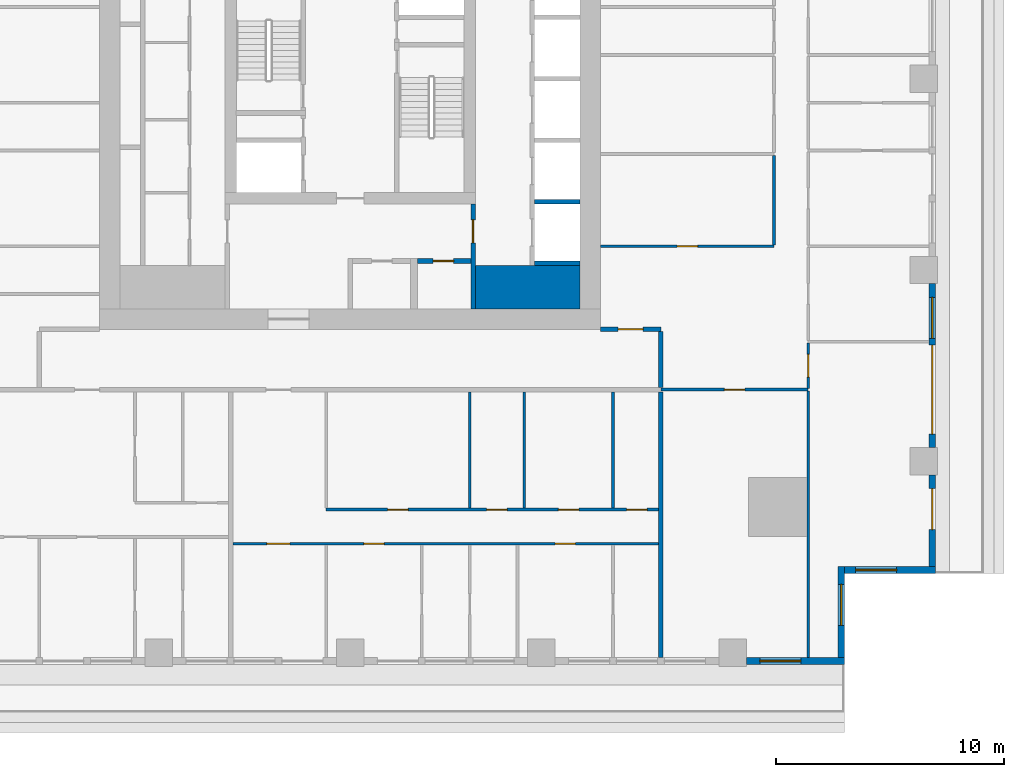
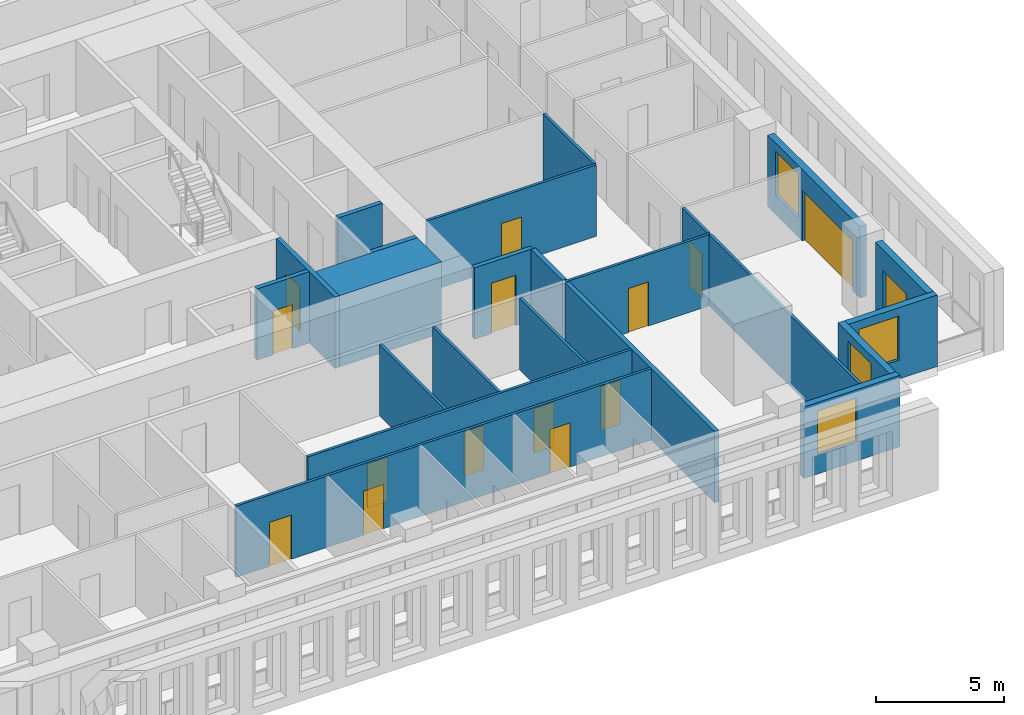
# One storey, part 5 of 16: 23 walls, 15 doors, 4 windows, 19 openings.
"""IFC4 building model written with IfcOpenShell, lengths in metres."""

from ifc_helpers import new_model, si_unit, direction, frame, frame_2d, origin, place, context, subcontext, project, spatial, rectangle, extrude, material, layer, layer_set, type_object, element, fill, save


model = new_model("IFC4")

# Units and contexts
model_context = context("Model", 3, precision=1e-05, world=origin(), true_north=direction((0.0, 1.0)))
body_context = subcontext(model_context, "Body", "Model", "MODEL_VIEW")
ifc_project = project(units=[si_unit("LENGTHUNIT", "METRE"), si_unit("AREAUNIT", "SQUARE_METRE"), si_unit("VOLUMEUNIT", "CUBIC_METRE"), si_unit("PLANEANGLEUNIT", "RADIAN"), si_unit("MASSUNIT", "GRAM", prefix="KILO")], contexts=[model_context])

# Site, building, storey
site_placement = place(None, origin())
site = spatial("IfcSite", under=ifc_project, at=site_placement, CompositionType="ELEMENT")
building_placement = place(site_placement, origin())
building = spatial("IfcBuilding", under=site, at=building_placement, Name="Khepri Terraces", CompositionType="ELEMENT")
storey_placement = place(building_placement, frame((0.0, 0.0, 176.699951171875)))
storey = spatial("IfcBuildingStorey", under=building, at=storey_placement, Name="L42", CompositionType="ELEMENT", Elevation=176.699951171875)

# Walls
ifc_material_1 = material(Name="Concrete C60/75", Category="concrete")
ifc_layer_1 = layer(ifc_material_1, 1.89990234375, Name="Concrete C60/75", Category="concrete")
ifc_layer_set_1 = layer_set([ifc_layer_1], Name="Concrete C60/75")
wall_type_1 = type_object("IfcWallType", Name="Core wall 1900 C60/75", PredefinedType="SHEAR", material=ifc_layer_set_1)
wall_1_placement = place(storey_placement, frame((5.5, -9.14990234375, 0.0), z_axis=(0.0, 0.0, 1.0), x_axis=(1.0, 0.0, 0.0)))
element("IfcWall", 1, at=wall_1_placement, inside=storey, type_object=wall_type_1, Name="Core wall PR02 L42", PredefinedType="SHEAR", context=body_context, shape_type="SweptSolid", body=[
    extrude(rectangle(XDim=4.60009765625, YDim=1.89990234375, at=frame_2d((2.300048828125, 0.0))), origin(), (0.0, 0.0, 1.0), 3.400146484375),
])
ifc_layer_2 = layer(ifc_material_1, 0.199951171875, Name="Concrete C60/75", Category="concrete")
ifc_layer_set_2 = layer_set([ifc_layer_2], Name="Concrete C60/75")
wall_type_2 = type_object("IfcWallType", Name="Core wall 200 C60/75", PredefinedType="SHEAR", material=ifc_layer_set_2)
for number, where, z_axis, x_axis, name in (
    (2, (8.10009765625, -8.10009765625, 0.0), (0.0, 0.0, 1.0), (1.0, 0.0, 0.0), "Core wall SH03 L42"),
    (3, (8.10009765625, -5.39990234375, 0.0), (0.0, 0.0, 1.0), (1.0, 0.0, 0.0), "Core wall SH04 L42"),
):
    element("IfcWall", number, at=place(storey_placement, frame(where, z_axis=z_axis, x_axis=x_axis)), inside=storey, type_object=wall_type_2, Name=name, PredefinedType="SHEAR", context=body_context, shape_type="SweptSolid", body=[
        extrude(rectangle(XDim=2.0, YDim=0.199951171875, at=frame_2d((1.0, 0.0))), origin(), (0.0, 0.0, 1.0), 3.400146484375),
    ])

# Wall, opening, door
ifc_material_2 = material(Name="Fire-rated gypsum board partition")
ifc_layer_3 = layer(ifc_material_2, 0.199951171875, Name="Fire-rated gypsum board partition")
ifc_layer_set_3 = layer_set([ifc_layer_3], Name="Fire-rated gypsum board partition")
wall_type_3 = type_object("IfcWallType", Name="WL-CORE-PART-200", PredefinedType="PARTITIONING", material=ifc_layer_set_3)
wall_2_placement = place(storey_placement, frame((5.39990234375, -10.10009765625, 0.0), z_axis=(0.0, 0.0, 1.0), x_axis=(0.0, 1.0, 0.0)))
wall_2 = element("IfcWall", 4, at=wall_2_placement, inside=storey, type_object=wall_type_3, Name="Core partition PT04 L42", PredefinedType="PARTITIONING", context=body_context, shape_type="SweptSolid", body=[
    extrude(rectangle(XDim=4.60009765625, YDim=0.199951171875, at=frame_2d((2.300048828125, 0.0))), origin(), (0.0, 0.0, 1.0), 3.400146484375),
])
opening_1_placement = place(wall_2_placement, frame((2.89990234375, 0.0, 0.0)))
opening_1 = element("IfcOpeningElement", 5, at=opening_1_placement, cuts=wall_2, Name="Opening L42-C19", PredefinedType="OPENING", context=body_context, shape_type="SweptSolid", body=[
    extrude(rectangle(XDim=1.0, YDim=2.10009765625, at=frame_2d((0.5, 1.050048828125))), frame((0.0, 0.10986328125, 0.0), z_axis=(0.0, -1.0, 0.0), x_axis=(1.0, 0.0, 0.0)), (0.0, 0.0, 1.0), 0.219970703125),
])
ifc_material_3 = material(Name="Painted steel", Category="steel")
door_type_1 = type_object("IfcDoorType", Name="DR-CORE-LOBBY-1000", OperationType="NOTDEFINED", PredefinedType="DOOR", material=ifc_material_3)
door_1_placement = place(opening_1_placement, origin())
door_1 = element("IfcDoor", 6, at=door_1_placement, inside=storey, type_object=door_type_1, Name="Lobby door L42-C19", OperationType="SINGLE_SWING_RIGHT", OverallHeight=2.10009765625, OverallWidth=1.0, PredefinedType="DOOR", context=body_context, shape_type="SweptSolid", body=[
    extrude(rectangle(XDim=1.0, YDim=2.10009765625, at=frame_2d((0.5, 1.050048828125))), frame((0.0, 0.02490234375, 0.0), z_axis=(0.0, -1.0, 0.0), x_axis=(1.0, 0.0, 0.0)), (0.0, 0.0, 1.0), 0.050048828125),
])
fill(opening_1, door_1)

wall_3_placement = place(storey_placement, frame((2.949951171875, -8.0, 0.0), z_axis=(0.0, 0.0, 1.0), x_axis=(1.0, 0.0, 0.0)))
wall_3 = element("IfcWall", 7, at=wall_3_placement, inside=storey, type_object=wall_type_3, Name="Core partition PT07 L42", PredefinedType="PARTITIONING", context=body_context, shape_type="SweptSolid", body=[
    extrude(rectangle(XDim=2.35009765625, YDim=0.199951171875, at=frame_2d((1.175048828125, 0.0))), origin(), (0.0, 0.0, 1.0), 3.400146484375),
])
opening_2_placement = place(wall_3_placement, frame((0.699951171875, 0.0, 0.0)))
opening_2 = element("IfcOpeningElement", 8, at=opening_2_placement, cuts=wall_3, Name="Opening L42-C23", PredefinedType="OPENING", context=body_context, shape_type="SweptSolid", body=[
    extrude(rectangle(XDim=0.89990234375, YDim=2.10009765625, at=frame_2d((0.449951171875, 1.050048828125))), frame((0.0, 0.10986328125, 0.0), z_axis=(0.0, -1.0, 0.0), x_axis=(1.0, 0.0, 0.0)), (0.0, 0.0, 1.0), 0.219970703125),
])
door_type_2 = type_object("IfcDoorType", Name="DR-CORE-SERVICE-900", OperationType="NOTDEFINED", PredefinedType="DOOR", material=ifc_material_3)
door_2_placement = place(opening_2_placement, frame((0.89990234375, 0.0, 0.0), z_axis=(0.0, 0.0, 1.0), x_axis=(-1.0, 0.0, 0.0)))
door_2 = element("IfcDoor", 9, at=door_2_placement, inside=storey, type_object=door_type_2, Name="Service room door L42-C23", OperationType="SINGLE_SWING_RIGHT", OverallHeight=2.10009765625, OverallWidth=0.89990234375, PredefinedType="DOOR", context=body_context, shape_type="SweptSolid", body=[
    extrude(rectangle(XDim=0.89990234375, YDim=2.10009765625, at=frame_2d((0.449951171875, 1.050048828125))), frame((0.0, 0.02490234375, 0.0), z_axis=(0.0, -1.0, 0.0), x_axis=(1.0, 0.0, 0.0)), (0.0, 0.0, 1.0), 0.050048828125),
])
fill(opening_2, door_2)

# Walls
ifc_material_4 = material(Name="Fire-rated gypsum plasterboard partition, mineral wool")
ifc_layer_4 = layer(ifc_material_4, 0.199951171875, Name="Fire-rated gypsum plasterboard partition, mineral wool")
ifc_layer_set_4 = layer_set([ifc_layer_4], Name="Fire-rated gypsum plasterboard partition, mineral wool")
wall_type_4 = type_object("IfcWallType", Name="WL-CORR-200", PredefinedType="PARTITIONING", material=ifc_layer_set_4)
wall_4_placement = place(storey_placement, frame((13.64990234375, -25.419921875, 0.0), z_axis=(0.0, 0.0, 1.0), x_axis=(0.0, 1.0, 0.0)))
element("IfcWall", 10, at=wall_4_placement, inside=storey, type_object=wall_type_4, Name="Partition P-010 L42", PredefinedType="PARTITIONING", context=body_context, shape_type="SweptSolid", body=[
    extrude(rectangle(XDim=11.669921875, YDim=0.199951171875, at=frame_2d((5.8349609375, 0.0))), origin(), (0.0, 0.0, 1.0), 3.400146484375),
])
wall_5_placement = place(storey_placement, frame((13.64990234375, -13.550048828125, 0.0), z_axis=(0.0, 0.0, 1.0), x_axis=(0.0, 1.0, 0.0)))
element("IfcWall", 11, at=wall_5_placement, inside=storey, type_object=wall_type_4, Name="Partition P-029 L42", PredefinedType="PARTITIONING", context=body_context, shape_type="SweptSolid", body=[
    extrude(rectangle(XDim=2.449951171875, YDim=0.199951171875, at=frame_2d((1.22509765625, 0.0))), origin(), (0.0, 0.0, 1.0), 3.400146484375),
])

# Wall, opening, door
wall_6_placement = place(storey_placement, frame((11.0, -11.0, 0.0), z_axis=(0.0, 0.0, 1.0), x_axis=(1.0, 0.0, 0.0)))
wall_6 = element("IfcWall", 12, at=wall_6_placement, inside=storey, type_object=wall_type_4, Name="Partition P-035 L42", PredefinedType="PARTITIONING", context=body_context, shape_type="SweptSolid", body=[
    extrude(rectangle(XDim=2.64990234375, YDim=0.199951171875, at=frame_2d((1.324951171875, 0.0))), origin(), (0.0, 0.0, 1.0), 3.400146484375),
])
opening_3_placement = place(wall_6_placement, frame((0.77490234375, 0.0, 0.0)))
opening_3 = element("IfcOpeningElement", 13, at=opening_3_placement, cuts=wall_6, Name="Opening D1", PredefinedType="OPENING", context=body_context, shape_type="SweptSolid", body=[
    extrude(rectangle(XDim=1.10009765625, YDim=2.39990234375, at=frame_2d((0.550048828125, 1.199951171875))), frame((0.0, 0.10986328125, 0.0), z_axis=(0.0, -1.0, 0.0), x_axis=(1.0, 0.0, 0.0)), (0.0, 0.0, 1.0), 0.219970703125),
])
ifc_material_5 = material(Name="Solid-core timber door leaf, flat entrance door", Category="wood")
door_type_3 = type_object("IfcDoorType", Name="DR-ENT-1100", OperationType="NOTDEFINED", PredefinedType="DOOR", material=ifc_material_5)
door_3_placement = place(opening_3_placement, origin())
door_3 = element("IfcDoor", 14, at=door_3_placement, inside=storey, type_object=door_type_3, Name="Flat B1 entrance door", OperationType="SINGLE_SWING_LEFT", OverallHeight=2.39990234375, OverallWidth=1.10009765625, PredefinedType="DOOR", context=body_context, shape_type="SweptSolid", body=[
    extrude(rectangle(XDim=1.10009765625, YDim=2.39990234375, at=frame_2d((0.550048828125, 1.199951171875))), frame((0.0, 0.02490234375, 0.0), z_axis=(0.0, -1.0, 0.0), x_axis=(1.0, 0.0, 0.0)), (0.0, 0.0, 1.0), 0.050048828125),
])
fill(opening_3, door_3)

# Wall, opening, window
ifc_material_6 = material(Name="Precast concrete C50/60 warm stone", Category="masonry")
ifc_layer_5 = layer(ifc_material_6, 0.300048828125, Name="Precast concrete C50/60 warm stone", Category="masonry")
ifc_layer_set_5 = layer_set([ifc_layer_5], Name="Precast concrete C50/60 warm stone")
wall_type_5 = type_object("IfcWallType", Name="WL-EXT-PRECAST-300", PredefinedType="STANDARD", material=ifc_layer_set_5)
wall_7_placement = place(storey_placement, frame((21.719970703125, -21.570068359375, 0.0), z_axis=(0.0, 0.0, 1.0), x_axis=(1.0, 0.0, 0.0)))
wall_7 = element("IfcWall", 15, at=wall_7_placement, inside=storey, type_object=wall_type_5, Name="External wall L42 S", PredefinedType="STANDARD", context=body_context, shape_type="SweptSolid", body=[
    extrude(rectangle(XDim=4.0, YDim=0.300048828125, at=frame_2d((2.0, 0.0))), origin(), (0.0, 0.0, 1.0), 3.400146484375),
])
opening_4_placement = place(wall_7_placement, frame((0.47998046875, 0.0, 0.89990234375)))
opening_4 = element("IfcOpeningElement", 16, at=opening_4_placement, cuts=wall_7, Name="Opening W1", PredefinedType="OPENING", context=body_context, shape_type="SweptSolid", body=[
    extrude(rectangle(XDim=1.800048828125, YDim=2.10009765625, at=frame_2d((0.89990234375, 1.050048828125))), frame((0.0, 0.16015625, 0.0), z_axis=(0.0, -1.0, 0.0), x_axis=(1.0, 0.0, 0.0)), (0.0, 0.0, 1.0), 0.320068359375),
])
ifc_material_7 = material(Name="Clear glass", Category="glass")
window_type = type_object("IfcWindowType", Name="WIN-RES-1800x2100", PartitioningType="SINGLE_PANEL", PredefinedType="WINDOW", material=ifc_material_7)
window_1_placement = place(opening_4_placement, origin())
window_1 = element("IfcWindow", 17, at=window_1_placement, inside=storey, type_object=window_type, Name="Window L42 S", OverallHeight=2.10009765625, OverallWidth=1.800048828125, PartitioningType="SINGLE_PANEL", PredefinedType="WINDOW", context=body_context, shape_type="SweptSolid", body=[
    extrude(rectangle(XDim=1.800048828125, YDim=2.10009765625, at=frame_2d((0.89990234375, 1.050048828125))), frame((0.0, 0.030029296875, 0.0), z_axis=(0.0, -1.0, 0.0), x_axis=(1.0, 0.0, 0.0)), (0.0, 0.0, 1.0), 0.06005859375),
])
fill(opening_4, window_1)

# Wall, opening, door
wall_8_placement = place(storey_placement, frame((25.570068359375, -21.419921875, 0.0), z_axis=(0.0, 0.0, 1.0), x_axis=(0.0, 1.0, 0.0)))
wall_8 = element("IfcWall", 18, at=wall_8_placement, inside=storey, type_object=wall_type_5, Name="External wall L42 E", PredefinedType="STANDARD", context=body_context, shape_type="SweptSolid", body=[
    extrude(rectangle(XDim=4.02001953125, YDim=0.300048828125, at=frame_2d((2.010009765625, 0.0))), origin(), (0.0, 0.0, 1.0), 3.400146484375),
])
opening_5_placement = place(wall_8_placement, frame((1.6201171875, 0.0, 0.0)))
opening_5 = element("IfcOpeningElement", 19, at=opening_5_placement, cuts=wall_8, Name="Opening ED-L42-01", PredefinedType="OPENING", context=body_context, shape_type="SweptSolid", body=[
    extrude(rectangle(XDim=1.800048828125, YDim=2.39990234375, at=frame_2d((0.89990234375, 1.199951171875))), frame((0.0, 0.16015625, 0.0), z_axis=(0.0, -1.0, 0.0), x_axis=(1.0, 0.0, 0.0)), (0.0, 0.0, 1.0), 0.320068359375),
])
ifc_material_8 = material(Name="Anodised aluminium bronze glazed door", Category="aluminium")
door_type_4 = type_object("IfcDoorType", Name="DR-BAL-SLIDE-1800x2400", OperationType="NOTDEFINED", PredefinedType="DOOR", material=ifc_material_8)
door_4_placement = place(opening_5_placement, origin())
door_4 = element("IfcDoor", 20, at=door_4_placement, inside=storey, type_object=door_type_4, Name="Balcony door L42 E", OperationType="SLIDING_TO_RIGHT", OverallHeight=2.39990234375, OverallWidth=1.800048828125, PredefinedType="DOOR", context=body_context, shape_type="SweptSolid", body=[
    extrude(rectangle(XDim=1.800048828125, YDim=2.39990234375, at=frame_2d((0.89990234375, 1.199951171875))), frame((0.0, 0.02490234375, 0.0), z_axis=(0.0, -1.0, 0.0), x_axis=(1.0, 0.0, 0.0)), (0.0, 0.0, 1.0), 0.050048828125),
])
fill(opening_5, door_4)

# Wall, openings, door, window
wall_9_placement = place(storey_placement, frame((25.570068359375, -16.199951171875, 0.0), z_axis=(0.0, 0.0, 1.0), x_axis=(0.0, 1.0, 0.0)))
wall_9 = element("IfcWall", 21, at=wall_9_placement, inside=storey, type_object=wall_type_5, Name="External wall L42 E", PredefinedType="STANDARD", context=body_context, shape_type="SweptSolid", body=[
    extrude(rectangle(XDim=7.199951171875, YDim=0.300048828125, at=frame_2d((3.60009765625, 0.0))), origin(), (0.0, 0.0, 1.0), 3.400146484375),
])
opening_6_placement = place(wall_9_placement, frame((0.60009765625, 0.0, 0.0)))
opening_6 = element("IfcOpeningElement", 22, at=opening_6_placement, cuts=wall_9, Name="Opening ED-L42-02", PredefinedType="OPENING", context=body_context, shape_type="SweptSolid", body=[
    extrude(rectangle(XDim=3.89990234375, YDim=2.39990234375, at=frame_2d((1.949951171875, 1.199951171875))), frame((0.0, 0.16015625, 0.0), z_axis=(0.0, -1.0, 0.0), x_axis=(1.0, 0.0, 0.0)), (0.0, 0.0, 1.0), 0.320068359375),
])
opening_7_placement = place(wall_9_placement, frame((4.800048828125, 0.0, 0.89990234375)))
opening_7 = element("IfcOpeningElement", 23, at=opening_7_placement, cuts=wall_9, Name="Opening W1", PredefinedType="OPENING", context=body_context, shape_type="SweptSolid", body=[
    extrude(rectangle(XDim=1.800048828125, YDim=2.10009765625, at=frame_2d((0.89990234375, 1.050048828125))), frame((0.0, 0.16015625, 0.0), z_axis=(0.0, -1.0, 0.0), x_axis=(1.0, 0.0, 0.0)), (0.0, 0.0, 1.0), 0.320068359375),
])
door_type_5 = type_object("IfcDoorType", Name="DR-BAL-SLIDE-3900x2400", OperationType="NOTDEFINED", PredefinedType="DOOR", material=ifc_material_8)
door_5_placement = place(opening_6_placement, origin())
door_5 = element("IfcDoor", 24, at=door_5_placement, inside=storey, type_object=door_type_5, Name="Balcony door L42 E", OperationType="SLIDING_TO_LEFT", OverallHeight=2.39990234375, OverallWidth=3.89990234375, PredefinedType="DOOR", context=body_context, shape_type="SweptSolid", body=[
    extrude(rectangle(XDim=3.89990234375, YDim=2.39990234375, at=frame_2d((1.949951171875, 1.199951171875))), frame((0.0, 0.02490234375, 0.0), z_axis=(0.0, -1.0, 0.0), x_axis=(1.0, 0.0, 0.0)), (0.0, 0.0, 1.0), 0.050048828125),
])
fill(opening_6, door_5)
window_2_placement = place(opening_7_placement, origin())
window_2 = element("IfcWindow", 25, at=window_2_placement, inside=storey, type_object=window_type, Name="Window L42 E", OverallHeight=2.10009765625, OverallWidth=1.800048828125, PartitioningType="SINGLE_PANEL", PredefinedType="WINDOW", context=body_context, shape_type="SweptSolid", body=[
    extrude(rectangle(XDim=1.800048828125, YDim=2.10009765625, at=frame_2d((0.89990234375, 1.050048828125))), frame((0.0, 0.030029296875, 0.0), z_axis=(0.0, -1.0, 0.0), x_axis=(1.0, 0.0, 0.0)), (0.0, 0.0, 1.0), 0.06005859375),
])
fill(opening_7, window_2)

# Wall, opening, window
wall_10_placement = place(storey_placement, frame((17.39990234375, -25.570068359375, 0.0), z_axis=(0.0, 0.0, 1.0), x_axis=(1.0, 0.0, 0.0)))
wall_10 = element("IfcWall", 26, at=wall_10_placement, inside=storey, type_object=wall_type_5, Name="External wall L42 S", PredefinedType="STANDARD", context=body_context, shape_type="SweptSolid", body=[
    extrude(rectangle(XDim=4.320068359375, YDim=0.300048828125, at=frame_2d((2.16015625, 0.0))), origin(), (0.0, 0.0, 1.0), 3.400146484375),
])
opening_8_placement = place(wall_10_placement, frame((0.60009765625, 0.0, 0.89990234375)))
opening_8 = element("IfcOpeningElement", 27, at=opening_8_placement, cuts=wall_10, Name="Opening W1", PredefinedType="OPENING", context=body_context, shape_type="SweptSolid", body=[
    extrude(rectangle(XDim=1.800048828125, YDim=2.10009765625, at=frame_2d((0.89990234375, 1.050048828125))), frame((0.0, 0.16015625, 0.0), z_axis=(0.0, -1.0, 0.0), x_axis=(1.0, 0.0, 0.0)), (0.0, 0.0, 1.0), 0.320068359375),
])
window_3_placement = place(opening_8_placement, origin())
window_3 = element("IfcWindow", 28, at=window_3_placement, inside=storey, type_object=window_type, Name="Window L42 S", OverallHeight=2.10009765625, OverallWidth=1.800048828125, PartitioningType="SINGLE_PANEL", PredefinedType="WINDOW", context=body_context, shape_type="SweptSolid", body=[
    extrude(rectangle(XDim=1.800048828125, YDim=2.10009765625, at=frame_2d((0.89990234375, 1.050048828125))), frame((0.0, 0.030029296875, 0.0), z_axis=(0.0, -1.0, 0.0), x_axis=(1.0, 0.0, 0.0)), (0.0, 0.0, 1.0), 0.06005859375),
])
fill(opening_8, window_3)

wall_11_placement = place(storey_placement, frame((21.570068359375, -25.419921875, 0.0), z_axis=(0.0, 0.0, 1.0), x_axis=(0.0, 1.0, 0.0)))
wall_11 = element("IfcWall", 29, at=wall_11_placement, inside=storey, type_object=wall_type_5, Name="External wall L42 E", PredefinedType="STANDARD", context=body_context, shape_type="SweptSolid", body=[
    extrude(rectangle(XDim=4.0, YDim=0.300048828125, at=frame_2d((2.0, 0.0))), origin(), (0.0, 0.0, 1.0), 3.400146484375),
])
opening_9_placement = place(wall_11_placement, frame((1.419921875, 0.0, 0.89990234375)))
opening_9 = element("IfcOpeningElement", 30, at=opening_9_placement, cuts=wall_11, Name="Opening W1", PredefinedType="OPENING", context=body_context, shape_type="SweptSolid", body=[
    extrude(rectangle(XDim=1.800048828125, YDim=2.10009765625, at=frame_2d((0.89990234375, 1.050048828125))), frame((0.0, 0.16015625, 0.0), z_axis=(0.0, -1.0, 0.0), x_axis=(1.0, 0.0, 0.0)), (0.0, 0.0, 1.0), 0.320068359375),
])
window_4_placement = place(opening_9_placement, origin())
window_4 = element("IfcWindow", 31, at=window_4_placement, inside=storey, type_object=window_type, Name="Window L42 E", OverallHeight=2.10009765625, OverallWidth=1.800048828125, PartitioningType="SINGLE_PANEL", PredefinedType="WINDOW", context=body_context, shape_type="SweptSolid", body=[
    extrude(rectangle(XDim=1.800048828125, YDim=2.10009765625, at=frame_2d((0.89990234375, 1.050048828125))), frame((0.0, 0.030029296875, 0.0), z_axis=(0.0, -1.0, 0.0), x_axis=(1.0, 0.0, 0.0)), (0.0, 0.0, 1.0), 0.06005859375),
])
fill(opening_9, window_4)

# Wall
ifc_material_9 = material(Name="Gypsum plasterboard partition")
ifc_layer_6 = layer(ifc_material_9, 0.1201171875, Name="Gypsum plasterboard partition")
ifc_layer_set_6 = layer_set([ifc_layer_6], Name="Gypsum plasterboard partition")
wall_type_6 = type_object("IfcWallType", Name="WL-PART-120", PredefinedType="PARTITIONING", material=ifc_layer_set_6)
wall_12_placement = place(storey_placement, frame((20.1201171875, -25.419921875, 0.0), z_axis=(0.0, 0.0, 1.0), x_axis=(0.0, 1.0, 0.0)))
element("IfcWall", 32, at=wall_12_placement, inside=storey, type_object=wall_type_6, Name="Partition P-011 L42", PredefinedType="PARTITIONING", context=body_context, shape_type="SweptSolid", body=[
    extrude(rectangle(XDim=11.7099609375, YDim=0.1201171875, at=frame_2d((5.85498046875, 0.0))), origin(), (0.0, 0.0, 1.0), 3.400146484375),
])

# Wall, openings, doors
wall_13_placement = place(storey_placement, frame((-5.14990234375, -20.419921875, 0.0), z_axis=(0.0, 0.0, 1.0), x_axis=(1.0, 0.0, 0.0)))
wall_13 = element("IfcWall", 33, at=wall_13_placement, inside=storey, type_object=wall_type_6, Name="Partition P-012 L42", PredefinedType="PARTITIONING", context=body_context, shape_type="SweptSolid", body=[
    extrude(rectangle(XDim=18.699951171875, YDim=0.1201171875, at=frame_2d((9.35009765625, 0.0))), origin(), (0.0, 0.0, 1.0), 3.400146484375),
])
opening_10_placement = place(wall_13_placement, frame((1.5, 0.0, 0.0)))
opening_10 = element("IfcOpeningElement", 34, at=opening_10_placement, cuts=wall_13, Name="Opening D2", PredefinedType="OPENING", context=body_context, shape_type="SweptSolid", body=[
    extrude(rectangle(XDim=1.0, YDim=2.10009765625, at=frame_2d((0.5, 1.050048828125))), frame((0.0, 0.070068359375, 0.0), z_axis=(0.0, -1.0, 0.0), x_axis=(1.0, 0.0, 0.0)), (0.0, 0.0, 1.0), 0.14013671875),
])
opening_11_placement = place(wall_13_placement, frame((5.75, 0.0, 0.0)))
opening_11 = element("IfcOpeningElement", 35, at=opening_11_placement, cuts=wall_13, Name="Opening D3", PredefinedType="OPENING", context=body_context, shape_type="SweptSolid", body=[
    extrude(rectangle(XDim=0.89990234375, YDim=2.10009765625, at=frame_2d((0.449951171875, 1.050048828125))), frame((0.0, 0.070068359375, 0.0), z_axis=(0.0, -1.0, 0.0), x_axis=(1.0, 0.0, 0.0)), (0.0, 0.0, 1.0), 0.14013671875),
])
opening_12_placement = place(wall_13_placement, frame((14.14990234375, 0.0, 0.0)))
opening_12 = element("IfcOpeningElement", 36, at=opening_12_placement, cuts=wall_13, Name="Opening D3", PredefinedType="OPENING", context=body_context, shape_type="SweptSolid", body=[
    extrude(rectangle(XDim=0.89990234375, YDim=2.10009765625, at=frame_2d((0.449951171875, 1.050048828125))), frame((0.0, 0.070068359375, 0.0), z_axis=(0.0, -1.0, 0.0), x_axis=(1.0, 0.0, 0.0)), (0.0, 0.0, 1.0), 0.14013671875),
])
ifc_material_10 = material(Name="Timber door leaf, living room door", Category="wood")
door_type_6 = type_object("IfcDoorType", Name="DR-INT-1000", OperationType="NOTDEFINED", PredefinedType="DOOR", material=ifc_material_10)
door_6_placement = place(opening_10_placement, frame((1.0, 0.0, 0.0), z_axis=(0.0, 0.0, 1.0), x_axis=(-1.0, 0.0, 0.0)))
door_6 = element("IfcDoor", 37, at=door_6_placement, inside=storey, type_object=door_type_6, Name="Door Sun Lounge", OperationType="SINGLE_SWING_RIGHT", OverallHeight=2.10009765625, OverallWidth=1.0, PredefinedType="DOOR", context=body_context, shape_type="SweptSolid", body=[
    extrude(rectangle(XDim=1.0, YDim=2.10009765625, at=frame_2d((0.5, 1.050048828125))), frame((0.0, 0.02490234375, 0.0), z_axis=(0.0, -1.0, 0.0), x_axis=(1.0, 0.0, 0.0)), (0.0, 0.0, 1.0), 0.050048828125),
])
fill(opening_10, door_6)
ifc_material_11 = material(Name="Timber door leaf", Category="wood")
door_type_7 = type_object("IfcDoorType", Name="DR-INT-900", OperationType="NOTDEFINED", PredefinedType="DOOR", material=ifc_material_11)
door_7_placement = place(opening_11_placement, frame((0.89990234375, 0.0, 0.0), z_axis=(0.0, 0.0, 1.0), x_axis=(-1.0, 0.0, 0.0)))
door_7 = element("IfcDoor", 38, at=door_7_placement, inside=storey, type_object=door_type_7, Name="Door Master Bedroom", OperationType="SINGLE_SWING_RIGHT", OverallHeight=2.10009765625, OverallWidth=0.89990234375, PredefinedType="DOOR", context=body_context, shape_type="SweptSolid", body=[
    extrude(rectangle(XDim=0.89990234375, YDim=2.10009765625, at=frame_2d((0.449951171875, 1.050048828125))), frame((0.0, 0.02490234375, 0.0), z_axis=(0.0, -1.0, 0.0), x_axis=(1.0, 0.0, 0.0)), (0.0, 0.0, 1.0), 0.050048828125),
])
fill(opening_11, door_7)
door_8_placement = place(opening_12_placement, frame((0.89990234375, 0.0, 0.0), z_axis=(0.0, 0.0, 1.0), x_axis=(-1.0, 0.0, 0.0)))
door_8 = element("IfcDoor", 39, at=door_8_placement, inside=storey, type_object=door_type_7, Name="Door Bedroom", OperationType="SINGLE_SWING_LEFT", OverallHeight=2.10009765625, OverallWidth=0.89990234375, PredefinedType="DOOR", context=body_context, shape_type="SweptSolid", body=[
    extrude(rectangle(XDim=0.89990234375, YDim=2.10009765625, at=frame_2d((0.449951171875, 1.050048828125))), frame((0.0, 0.02490234375, 0.0), z_axis=(0.0, -1.0, 0.0), x_axis=(1.0, 0.0, 0.0)), (0.0, 0.0, 1.0), 0.050048828125),
])
fill(opening_12, door_8)

wall_14_placement = place(storey_placement, frame((-1.050048828125, -18.919921875, 0.0), z_axis=(0.0, 0.0, 1.0), x_axis=(1.0, 0.0, 0.0)))
wall_14 = element("IfcWall", 40, at=wall_14_placement, inside=storey, type_object=wall_type_6, Name="Partition P-015 L42", PredefinedType="PARTITIONING", context=body_context, shape_type="SweptSolid", body=[
    extrude(rectangle(XDim=14.60009765625, YDim=0.1201171875, at=frame_2d((7.300048828125, 0.0))), origin(), (0.0, 0.0, 1.0), 3.400146484375),
])
opening_13_placement = place(wall_14_placement, frame((2.699951171875, 0.0, 0.0)))
opening_13 = element("IfcOpeningElement", 41, at=opening_13_placement, cuts=wall_14, Name="Opening D3", PredefinedType="OPENING", context=body_context, shape_type="SweptSolid", body=[
    extrude(rectangle(XDim=0.89990234375, YDim=2.10009765625, at=frame_2d((0.449951171875, 1.050048828125))), frame((0.0, 0.070068359375, 0.0), z_axis=(0.0, -1.0, 0.0), x_axis=(1.0, 0.0, 0.0)), (0.0, 0.0, 1.0), 0.14013671875),
])
opening_14_placement = place(wall_14_placement, frame((7.050048828125, 0.0, 0.0)))
opening_14 = element("IfcOpeningElement", 42, at=opening_14_placement, cuts=wall_14, Name="Opening D4", PredefinedType="OPENING", context=body_context, shape_type="SweptSolid", body=[
    extrude(rectangle(XDim=0.89990234375, YDim=2.10009765625, at=frame_2d((0.449951171875, 1.050048828125))), frame((0.0, 0.070068359375, 0.0), z_axis=(0.0, -1.0, 0.0), x_axis=(1.0, 0.0, 0.0)), (0.0, 0.0, 1.0), 0.14013671875),
])
opening_15_placement = place(wall_14_placement, frame((10.199951171875, 0.0, 0.0)))
opening_15 = element("IfcOpeningElement", 43, at=opening_15_placement, cuts=wall_14, Name="Opening D4", PredefinedType="OPENING", context=body_context, shape_type="SweptSolid", body=[
    extrude(rectangle(XDim=0.89990234375, YDim=2.10009765625, at=frame_2d((0.449951171875, 1.050048828125))), frame((0.0, 0.070068359375, 0.0), z_axis=(0.0, -1.0, 0.0), x_axis=(1.0, 0.0, 0.0)), (0.0, 0.0, 1.0), 0.14013671875),
])
opening_16_placement = place(wall_14_placement, frame((13.199951171875, 0.0, 0.0)))
opening_16 = element("IfcOpeningElement", 44, at=opening_16_placement, cuts=wall_14, Name="Opening D3", PredefinedType="OPENING", context=body_context, shape_type="SweptSolid", body=[
    extrude(rectangle(XDim=0.89990234375, YDim=2.10009765625, at=frame_2d((0.449951171875, 1.050048828125))), frame((0.0, 0.070068359375, 0.0), z_axis=(0.0, -1.0, 0.0), x_axis=(1.0, 0.0, 0.0)), (0.0, 0.0, 1.0), 0.14013671875),
])
door_9_placement = place(opening_13_placement, origin())
door_9 = element("IfcDoor", 45, at=door_9_placement, inside=storey, type_object=door_type_7, Name="Door Kitchen", OperationType="SINGLE_SWING_LEFT", OverallHeight=2.10009765625, OverallWidth=0.89990234375, PredefinedType="DOOR", context=body_context, shape_type="SweptSolid", body=[
    extrude(rectangle(XDim=0.89990234375, YDim=2.10009765625, at=frame_2d((0.449951171875, 1.050048828125))), frame((0.0, 0.02490234375, 0.0), z_axis=(0.0, -1.0, 0.0), x_axis=(1.0, 0.0, 0.0)), (0.0, 0.0, 1.0), 0.050048828125),
])
fill(opening_13, door_9)
door_10_placement = place(opening_16_placement, origin())
door_10 = element("IfcDoor", 46, at=door_10_placement, inside=storey, type_object=door_type_7, Name="Door Utility Room", OperationType="SINGLE_SWING_RIGHT", OverallHeight=2.10009765625, OverallWidth=0.89990234375, PredefinedType="DOOR", context=body_context, shape_type="SweptSolid", body=[
    extrude(rectangle(XDim=0.89990234375, YDim=2.10009765625, at=frame_2d((0.449951171875, 1.050048828125))), frame((0.0, 0.02490234375, 0.0), z_axis=(0.0, -1.0, 0.0), x_axis=(1.0, 0.0, 0.0)), (0.0, 0.0, 1.0), 0.050048828125),
])
fill(opening_16, door_10)
ifc_material_12 = material(Name="Timber door leaf, moisture resistant", Category="wood")
door_type_8 = type_object("IfcDoorType", Name="DR-WET-900", OperationType="NOTDEFINED", PredefinedType="DOOR", material=ifc_material_12)
door_11_placement = place(opening_14_placement, origin())
door_11 = element("IfcDoor", 47, at=door_11_placement, inside=storey, type_object=door_type_8, Name="Door Powder Room", OperationType="SINGLE_SWING_RIGHT", OverallHeight=2.10009765625, OverallWidth=0.89990234375, PredefinedType="DOOR", context=body_context, shape_type="SweptSolid", body=[
    extrude(rectangle(XDim=0.89990234375, YDim=2.10009765625, at=frame_2d((0.449951171875, 1.050048828125))), frame((0.0, 0.02490234375, 0.0), z_axis=(0.0, -1.0, 0.0), x_axis=(1.0, 0.0, 0.0)), (0.0, 0.0, 1.0), 0.050048828125),
])
fill(opening_14, door_11)
door_12_placement = place(opening_15_placement, origin())
door_12 = element("IfcDoor", 48, at=door_12_placement, inside=storey, type_object=door_type_8, Name="Door Guest Bathroom", OperationType="SINGLE_SWING_RIGHT", OverallHeight=2.10009765625, OverallWidth=0.89990234375, PredefinedType="DOOR", context=body_context, shape_type="SweptSolid", body=[
    extrude(rectangle(XDim=0.89990234375, YDim=2.10009765625, at=frame_2d((0.449951171875, 1.050048828125))), frame((0.0, 0.02490234375, 0.0), z_axis=(0.0, -1.0, 0.0), x_axis=(1.0, 0.0, 0.0)), (0.0, 0.0, 1.0), 0.050048828125),
])
fill(opening_15, door_12)

# Walls
for number, where, z_axis, x_axis, name in (
    (49, (5.25, -18.860107421875, 0.0), (0.0, 0.0, 1.0), (0.0, 1.0, 0.0), "Partition P-017 L42"),
    (50, (7.64990234375, -18.860107421875, 0.0), (0.0, 0.0, 1.0), (0.0, 1.0, 0.0), "Partition P-018 L42"),
    (51, (11.550048828125, -18.860107421875, 0.0), (0.0, 0.0, 1.0), (0.0, 1.0, 0.0), "Partition P-019 L42"),
):
    element("IfcWall", number, at=place(storey_placement, frame(where, z_axis=z_axis, x_axis=x_axis)), inside=storey, type_object=wall_type_6, Name=name, PredefinedType="PARTITIONING", context=body_context, shape_type="SweptSolid", body=[
        extrude(rectangle(XDim=5.110107421875, YDim=0.1201171875, at=frame_2d((2.55517578125, 0.0))), origin(), (0.0, 0.0, 1.0), 3.400146484375),
    ])

# Wall, opening, door
wall_15_placement = place(storey_placement, frame((13.64990234375, -13.64990234375, 0.0), z_axis=(0.0, 0.0, 1.0), x_axis=(1.0, 0.0, 0.0)))
wall_15 = element("IfcWall", 52, at=wall_15_placement, inside=storey, type_object=wall_type_6, Name="Partition P-024 L42", PredefinedType="PARTITIONING", context=body_context, shape_type="SweptSolid", body=[
    extrude(rectangle(XDim=6.47021484375, YDim=0.1201171875, at=frame_2d((3.235107421875, 0.0))), origin(), (0.0, 0.0, 1.0), 3.400146484375),
])
opening_17_placement = place(wall_15_placement, frame((2.784912109375, 0.0, 0.0)))
opening_17 = element("IfcOpeningElement", 53, at=opening_17_placement, cuts=wall_15, Name="Opening D3", PredefinedType="OPENING", context=body_context, shape_type="SweptSolid", body=[
    extrude(rectangle(XDim=0.89990234375, YDim=2.10009765625, at=frame_2d((0.449951171875, 1.050048828125))), frame((0.0, 0.070068359375, 0.0), z_axis=(0.0, -1.0, 0.0), x_axis=(1.0, 0.0, 0.0)), (0.0, 0.0, 1.0), 0.14013671875),
])
door_13_placement = place(opening_17_placement, frame((0.89990234375, 0.0, 0.0), z_axis=(0.0, 0.0, 1.0), x_axis=(-1.0, 0.0, 0.0)))
door_13 = element("IfcDoor", 54, at=door_13_placement, inside=storey, type_object=door_type_7, Name="Door Library", OperationType="SINGLE_SWING_LEFT", OverallHeight=2.10009765625, OverallWidth=0.89990234375, PredefinedType="DOOR", context=body_context, shape_type="SweptSolid", body=[
    extrude(rectangle(XDim=0.89990234375, YDim=2.10009765625, at=frame_2d((0.449951171875, 1.050048828125))), frame((0.0, 0.02490234375, 0.0), z_axis=(0.0, -1.0, 0.0), x_axis=(1.0, 0.0, 0.0)), (0.0, 0.0, 1.0), 0.050048828125),
])
fill(opening_17, door_13)

wall_16_placement = place(storey_placement, frame((20.1201171875, -13.590087890625, 0.0), z_axis=(0.0, 0.0, 1.0), x_axis=(0.0, 1.0, 0.0)))
wall_16 = element("IfcWall", 55, at=wall_16_placement, inside=storey, type_object=wall_type_6, Name="Partition P-025 L42", PredefinedType="PARTITIONING", context=body_context, shape_type="SweptSolid", body=[
    extrude(rectangle(XDim=1.97998046875, YDim=0.1201171875, at=frame_2d((0.989990234375, 0.0))), origin(), (0.0, 0.0, 1.0), 3.400146484375),
])
opening_18_placement = place(wall_16_placement, frame((0.489990234375, 0.0, 0.0)))
opening_18 = element("IfcOpeningElement", 56, at=opening_18_placement, cuts=wall_16, Name="Opening D2", PredefinedType="OPENING", context=body_context, shape_type="SweptSolid", body=[
    extrude(rectangle(XDim=1.0, YDim=2.10009765625, at=frame_2d((0.5, 1.050048828125))), frame((0.0, 0.070068359375, 0.0), z_axis=(0.0, -1.0, 0.0), x_axis=(1.0, 0.0, 0.0)), (0.0, 0.0, 1.0), 0.14013671875),
])
door_14_placement = place(opening_18_placement, frame((1.0, 0.0, 0.0), z_axis=(0.0, 0.0, 1.0), x_axis=(-1.0, 0.0, 0.0)))
door_14 = element("IfcDoor", 57, at=door_14_placement, inside=storey, type_object=door_type_6, Name="Door Living Room", OperationType="SINGLE_SWING_RIGHT", OverallHeight=2.10009765625, OverallWidth=1.0, PredefinedType="DOOR", context=body_context, shape_type="SweptSolid", body=[
    extrude(rectangle(XDim=1.0, YDim=2.10009765625, at=frame_2d((0.5, 1.050048828125))), frame((0.0, 0.02490234375, 0.0), z_axis=(0.0, -1.0, 0.0), x_axis=(1.0, 0.0, 0.0)), (0.0, 0.0, 1.0), 0.050048828125),
])
fill(opening_18, door_14)

wall_17_placement = place(storey_placement, frame((11.0, -7.35009765625, 0.0), z_axis=(0.0, 0.0, 1.0), x_axis=(1.0, 0.0, 0.0)))
wall_17 = element("IfcWall", 58, at=wall_17_placement, inside=storey, type_object=wall_type_6, Name="Partition P-040 L42", PredefinedType="PARTITIONING", context=body_context, shape_type="SweptSolid", body=[
    extrude(rectangle(XDim=7.6201171875, YDim=0.1201171875, at=frame_2d((3.81005859375, 0.0))), origin(), (0.0, 0.0, 1.0), 3.400146484375),
])
opening_19_placement = place(wall_17_placement, frame((3.360107421875, 0.0, 0.0)))
opening_19 = element("IfcOpeningElement", 59, at=opening_19_placement, cuts=wall_17, Name="Opening D3", PredefinedType="OPENING", context=body_context, shape_type="SweptSolid", body=[
    extrude(rectangle(XDim=0.89990234375, YDim=2.10009765625, at=frame_2d((0.449951171875, 1.050048828125))), frame((0.0, 0.070068359375, 0.0), z_axis=(0.0, -1.0, 0.0), x_axis=(1.0, 0.0, 0.0)), (0.0, 0.0, 1.0), 0.14013671875),
])
door_15_placement = place(opening_19_placement, origin())
door_15 = element("IfcDoor", 60, at=door_15_placement, inside=storey, type_object=door_type_7, Name="Door Kitchen", OperationType="SINGLE_SWING_RIGHT", OverallHeight=2.10009765625, OverallWidth=0.89990234375, PredefinedType="DOOR", context=body_context, shape_type="SweptSolid", body=[
    extrude(rectangle(XDim=0.89990234375, YDim=2.10009765625, at=frame_2d((0.449951171875, 1.050048828125))), frame((0.0, 0.02490234375, 0.0), z_axis=(0.0, -1.0, 0.0), x_axis=(1.0, 0.0, 0.0)), (0.0, 0.0, 1.0), 0.050048828125),
])
fill(opening_19, door_15)

# Wall
wall_18_placement = place(storey_placement, frame((18.6201171875, -7.2900390625, 0.0), z_axis=(0.0, 0.0, 1.0), x_axis=(0.0, 1.0, 0.0)))
element("IfcWall", 61, at=wall_18_placement, inside=storey, type_object=wall_type_6, Name="Partition P-044 L42", PredefinedType="PARTITIONING", context=body_context, shape_type="SweptSolid", body=[
    extrude(rectangle(XDim=3.929931640625, YDim=0.1201171875, at=frame_2d((1.96484375, 0.0))), origin(), (0.0, 0.0, 1.0), 3.400146484375),
])

save(model, "model.ifc")
